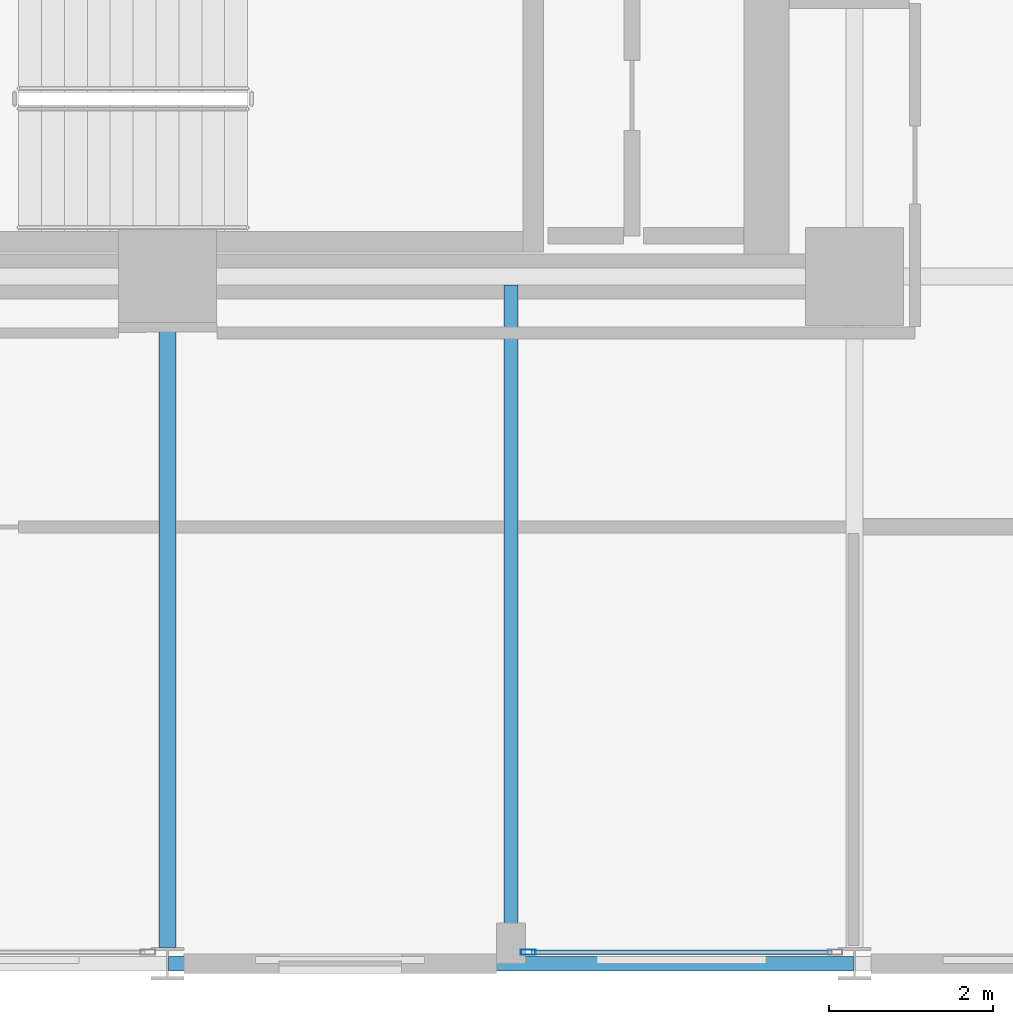
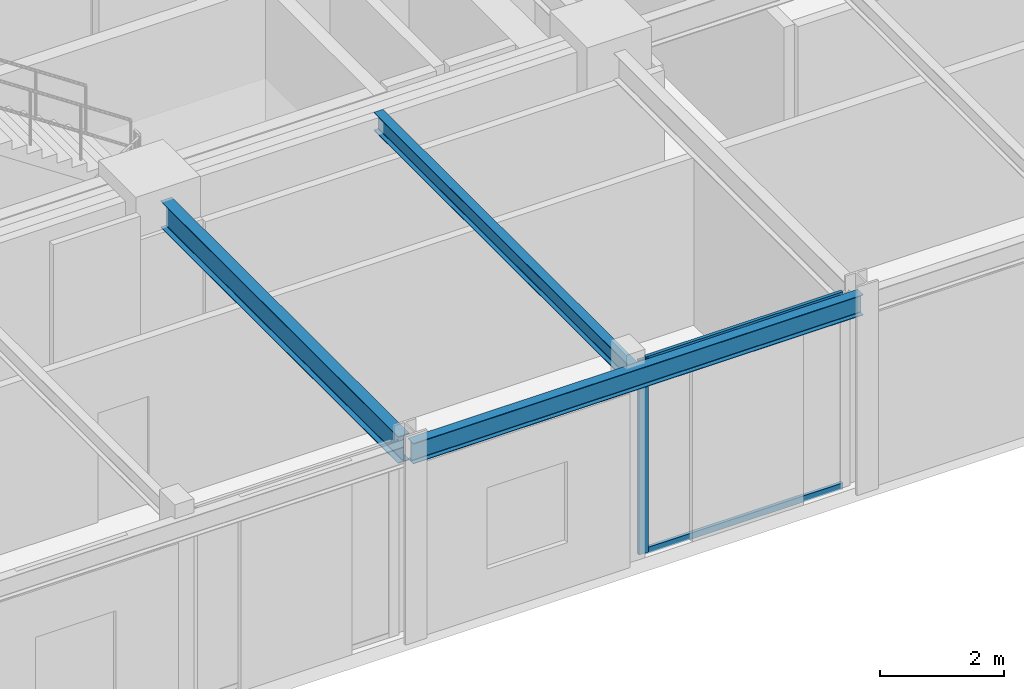
# One storey, part 9 of 38: 3 beams, 3 members, 1 element without a shape of its own.
"""IFC4 building model written with IfcOpenShell, lengths in metres."""

from ifc_helpers import new_model, si_unit, direction, frame, origin, origin_2d, place, context, subcontext, project, spatial, hollow_rectangle, i_section, extrude, material, layer, layer_set, material_profile, profile_set, type_object, element, aggregate, save


model = new_model("IFC4")

# Units and contexts
model_context = context("Model", 3, precision=1e-05, world=origin(), true_north=direction((0.0, 1.0)))
body_context = subcontext(model_context, "Body", "Model", "MODEL_VIEW")
ifc_project = project(units=[si_unit("LENGTHUNIT", "METRE"), si_unit("AREAUNIT", "SQUARE_METRE"), si_unit("VOLUMEUNIT", "CUBIC_METRE"), si_unit("PLANEANGLEUNIT", "RADIAN"), si_unit("MASSUNIT", "GRAM", prefix="KILO")], contexts=[model_context])

# Site, building, storey
site_placement = place(None, origin())
site = spatial("IfcSite", under=ifc_project, at=site_placement, CompositionType="ELEMENT")
building_placement = place(site_placement, origin())
building = spatial("IfcBuilding", under=site, at=building_placement, Name="Nerrivon Quay Data Exchange", CompositionType="ELEMENT")
storey_placement = place(building_placement, frame((0.0, 0.0, 96.699951171875)))
storey = spatial("IfcBuildingStorey", under=building, at=storey_placement, Name="L22", CompositionType="ELEMENT", Elevation=96.699951171875)

# Beams
ifc_material_1 = material(Name="Steel Grade 350", Category="steel")
ifc_material_profile_1 = material_profile(ifc_material_1, i_section(OverallWidth=0.208984375, OverallDepth=0.528076171875, WebThickness=0.009521484375, FlangeThickness=0.01318359375, FilletRadius=0.013916015625, at=origin_2d()), Name="530UB82.0")
ifc_profile_set_1 = profile_set([ifc_material_profile_1], Name="Steel Grade 350")
beam_type_1 = type_object("IfcBeamType", Name="BM-G4-530UB82", PredefinedType="BEAM", material=ifc_profile_set_1)
beam_1_placement = place(storey_placement, frame((25.199951171875, 0.199951171875, 3.56103515625), z_axis=(0.0, 1.0, 0.0), x_axis=(-1.0, 0.0, 0.0)))
element("IfcBeam", 1, at=beam_1_placement, inside=storey, type_object=beam_type_1, Name="L22 NS Girder X=25.2 (0.0..8.4)", PredefinedType="BEAM", context=body_context, shape_type="SweptSolid", body=[
    extrude(i_section(OverallWidth=0.208984375, OverallDepth=0.528076171875, WebThickness=0.009521484375, FlangeThickness=0.01318359375, FilletRadius=0.013916015625, at=origin_2d()), origin(), (0.0, 0.0, 1.0), 7.66015625),
])
ifc_material_profile_2 = material_profile(ifc_material_1, i_section(OverallWidth=0.1708984375, OverallDepth=0.35595703125, WebThickness=0.00732421875, FlangeThickness=0.011474609375, FilletRadius=0.011474609375, at=origin_2d()), Name="360UB50.7")
ifc_profile_set_2 = profile_set([ifc_material_profile_2], Name="Steel Grade 350")
beam_type_2 = type_object("IfcBeamType", Name="BM-J4-360UB51", PredefinedType="JOIST", material=ifc_profile_set_2)
beam_2_placement = place(storey_placement, frame((29.39990234375, 0.089111328125, 3.64697265625), z_axis=(0.0, 1.0, 0.0), x_axis=(-1.0, 0.0, 0.0)))
element("IfcBeam", 2, at=beam_2_placement, inside=storey, type_object=beam_type_2, Name="L22 Secondary Joist X=29.4 (0.0..8.4)", PredefinedType="JOIST", context=body_context, shape_type="SweptSolid", body=[
    extrude(i_section(OverallWidth=0.1708984375, OverallDepth=0.35595703125, WebThickness=0.00732421875, FlangeThickness=0.011474609375, FilletRadius=0.011474609375, at=origin_2d()), origin(), (0.0, 0.0, 1.0), 8.206298828125),
])
ifc_material_profile_3 = material_profile(ifc_material_1, i_section(OverallWidth=0.177978515625, OverallDepth=0.403076171875, WebThickness=0.007568359375, FlangeThickness=0.010986328125, FilletRadius=0.011474609375, at=origin_2d()), Name="410UB53.7")
ifc_profile_set_3 = profile_set([ifc_material_profile_3], Name="Steel Grade 350")
beam_type_3 = type_object("IfcBeamType", Name="BM-SP2-410UB54", PredefinedType="SPANDREL", material=ifc_profile_set_3)
beam_3_placement = place(storey_placement, frame((25.21240234375, 0.0, 3.62353515625), z_axis=(1.0, 0.0, 0.0), x_axis=(0.0, 1.0, 0.0)))
element("IfcBeam", 3, at=beam_3_placement, inside=storey, type_object=beam_type_3, Name="L22 EW Girder Y=0.0 (25.2..33.6)", PredefinedType="SPANDREL", context=body_context, shape_type="SweptSolid", body=[
    extrude(i_section(OverallWidth=0.177978515625, OverallDepth=0.403076171875, WebThickness=0.007568359375, FlangeThickness=0.010986328125, FilletRadius=0.011474609375, at=origin_2d()), origin(), (0.0, 0.0, 1.0), 8.375),
])

# Curtain wall, members
ifc_material_2 = material(Name="Anodised aluminium 6063-T6", Category="aluminium")
ifc_layer = layer(ifc_material_2, 0.2099609375)
ifc_layer_set = layer_set([ifc_layer], Name="Anodised aluminium 6063-T6")
curtain_wall_type = type_object("IfcCurtainWallType", Name="CW-SYS-02", PredefinedType="NOTDEFINED", material=ifc_layer_set)
curtain_wall_placement = place(storey_placement, origin())
curtain_wall = element("IfcCurtainWall", 4, at=curtain_wall_placement, inside=storey, type_object=curtain_wall_type, Name="L22 Unitised Curtain Wall 8", PredefinedType="NOTDEFINED")
ifc_material_profile_4 = material_profile(ifc_material_2, hollow_rectangle(XDim=0.06494140625, YDim=0.179931640625, WallThickness=0.00341796875, at=origin_2d()), Name="ALU-MULL-180x65")
ifc_profile_set_4 = profile_set([ifc_material_profile_4], Name="Anodised aluminium 6063-T6")
member_type_1 = type_object("IfcMemberType", Name="CWM-180x65", PredefinedType="MULLION", material=ifc_profile_set_4)
member_1_placement = place(storey_placement, frame((29.612548828125, 0.139892578125, 0.0), z_axis=(0.0, 0.0, 1.0), x_axis=(0.0, -1.0, 0.0)))
member_1 = element("IfcMember", 5, at=member_1_placement, type_object=member_type_1, Name="CW02 mullion 2", PredefinedType="MULLION", context=body_context, shape_type="SweptSolid", body=[
    extrude(hollow_rectangle(XDim=0.06494140625, YDim=0.179931640625, WallThickness=0.00341796875, at=origin_2d()), origin(), (0.0, 0.0, 1.0), 3.824951171875),
])
ifc_material_profile_5 = material_profile(ifc_material_2, hollow_rectangle(XDim=0.06005859375, YDim=0.1201171875, WallThickness=0.003173828125, at=origin_2d()), Name="ALU-TRAN-120x60")
ifc_profile_set_5 = profile_set([ifc_material_profile_5], Name="Anodised aluminium 6063-T6")
member_type_2 = type_object("IfcMemberType", Name="CWT-120x60", PredefinedType="USERDEFINED", material=ifc_profile_set_5)
member_2_placement = place(storey_placement, frame((33.324951171875, 0.139892578125, 0.032470703125), z_axis=(-1.0, 0.0, 0.0), x_axis=(0.0, -1.0, 0.0)))
member_2 = element("IfcMember", 6, at=member_2_placement, type_object=member_type_2, Name="CW02 transom 1.1", ObjectType="TRANSOM", PredefinedType="USERDEFINED", context=body_context, shape_type="SweptSolid", body=[
    extrude(hollow_rectangle(XDim=0.06005859375, YDim=0.1201171875, WallThickness=0.003173828125, at=origin_2d()), origin(), (0.0, 0.0, 1.0), 3.675048828125),
])
member_3_placement = place(storey_placement, frame((33.324951171875, 0.139892578125, 3.79248046875), z_axis=(-1.0, 0.0, 0.0), x_axis=(0.0, -1.0, 0.0)))
member_3 = element("IfcMember", 7, at=member_3_placement, type_object=member_type_2, Name="CW02 transom 1.2", ObjectType="TRANSOM", PredefinedType="USERDEFINED", context=body_context, shape_type="SweptSolid", body=[
    extrude(hollow_rectangle(XDim=0.06005859375, YDim=0.1201171875, WallThickness=0.003173828125, at=origin_2d()), origin(), (0.0, 0.0, 1.0), 3.675048828125),
])
aggregate(curtain_wall, [member_1, member_2, member_3])

save(model, "model.ifc")
